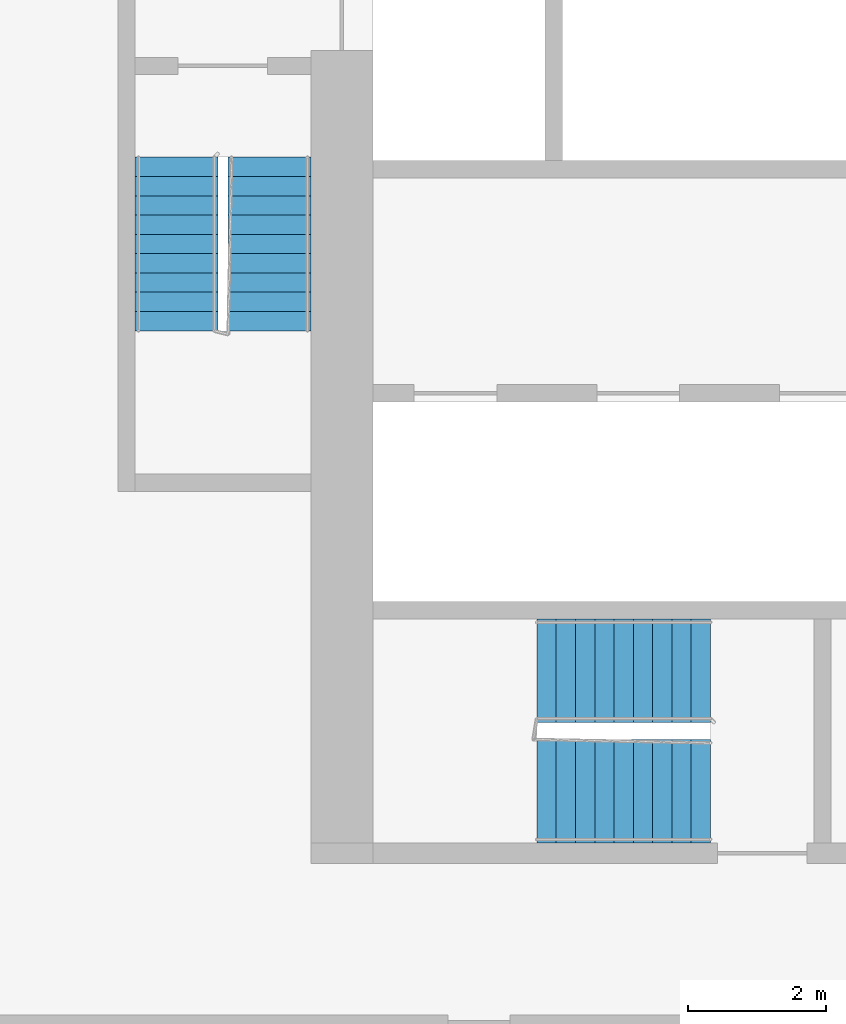
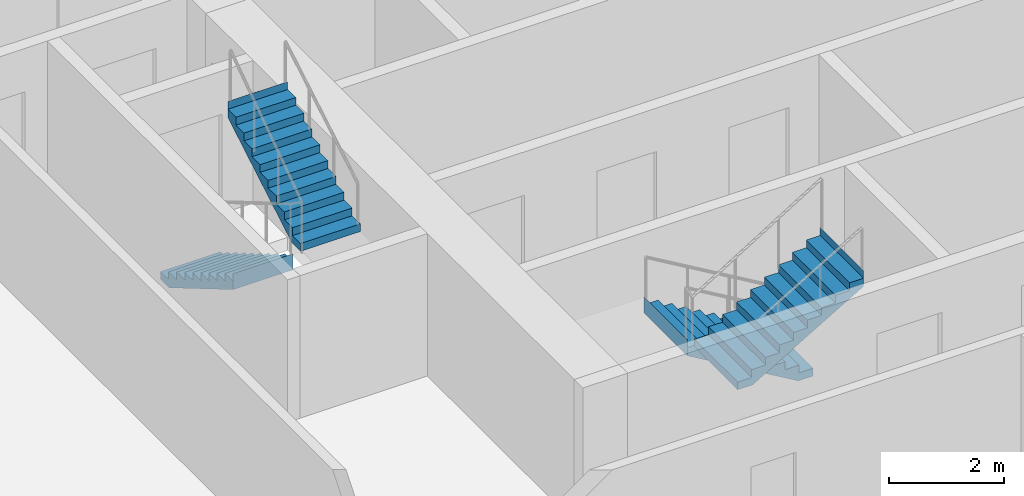
# One storey, part 9 of 12: 4 stair flights, 2 elements without a shape of their own.
"""IFC4 building model written with IfcOpenShell, lengths in metres."""

from ifc_helpers import new_model, si_unit, direction, frame, origin, place, context, subcontext, project, spatial, faceted_brep, material, type_object, element, aggregate, save


model = new_model("IFC4")

# Units and contexts
model_context = context("Model", 3, precision=1e-05, world=origin(), true_north=direction((0.0, 1.0)))
body_context = subcontext(model_context, "Body", "Model", "MODEL_VIEW")
ifc_project = project(units=[si_unit("LENGTHUNIT", "METRE"), si_unit("AREAUNIT", "SQUARE_METRE"), si_unit("VOLUMEUNIT", "CUBIC_METRE"), si_unit("PLANEANGLEUNIT", "RADIAN"), si_unit("MASSUNIT", "GRAM", prefix="KILO")], contexts=[model_context])

# Site, building, storey
site_placement = place(None, origin())
site = spatial("IfcSite", under=ifc_project, at=site_placement, CompositionType="ELEMENT")
building_placement = place(site_placement, origin())
building = spatial("IfcBuilding", under=site, at=building_placement, Name="Kajstack Hotel Tower", CompositionType="ELEMENT")
storey_placement = place(building_placement, frame((0.0, 0.0, 83.10009765625)))
storey = spatial("IfcBuildingStorey", under=building, at=storey_placement, Name="L16", CompositionType="ELEMENT", Elevation=83.10009765625)

# Stair, stair flights
ifc_material = material(Name="Concrete C40/50", Category="concrete")
stair_type_1 = type_object("IfcStairType", Name="Exit stair 1200", PredefinedType="HALF_TURN_STAIR", material=ifc_material)
stair_1_placement = place(storey_placement, origin())
stair_1 = element("IfcStair", 1, at=stair_1_placement, inside=storey, type_object=stair_type_1, Name="L16 stair W1", PredefinedType="HALF_TURN_STAIR")
stair_flight_type_1 = type_object("IfcStairFlightType", Name="Exit stair flight 1200", PredefinedType="STRAIGHT", material=ifc_material)
stair_flight_1_placement = place(storey_placement, frame((-33.449951171875, -5.25, 0.0), z_axis=(0.0, 0.0, 1.0), x_axis=(0.0, -1.0, 0.0)))
stair_flight_1 = element("IfcStairFlight", 2, at=stair_flight_1_placement, type_object=stair_flight_type_1, Name="W1 flight 1", NumberOfRisers=10, NumberOfTreads=9, PredefinedType="STRAIGHT", RiserHeight=0.165, TreadLength=0.28, context=body_context, shape_type="Brep", body=[
    faceted_brep([(0.295654296875, -0.60009765625, 0.0), (2.5205078125, -0.60009765625, 1.31103515625), (2.5205078125, -0.60009765625, 1.64990234375), (2.52001953125, -0.60009765625, 1.64990234375), (2.52001953125, -0.60009765625, 1.485107421875), (2.239990234375, -0.60009765625, 1.485107421875), (2.239990234375, -0.60009765625, 1.320068359375), (1.9599609375, -0.60009765625, 1.320068359375), (1.9599609375, -0.60009765625, 1.155029296875), (1.679931640625, -0.60009765625, 1.155029296875), (1.679931640625, -0.60009765625, 0.989990234375), (1.39990234375, -0.60009765625, 0.989990234375), (1.39990234375, -0.60009765625, 0.824951171875), (1.1201171875, -0.60009765625, 0.824951171875), (1.1201171875, -0.60009765625, 0.659912109375), (0.840087890625, -0.60009765625, 0.659912109375), (0.840087890625, -0.60009765625, 0.4951171875), (0.56005859375, -0.60009765625, 0.4951171875), (0.56005859375, -0.60009765625, 0.330078125), (0.280029296875, -0.60009765625, 0.330078125), (0.280029296875, -0.60009765625, 0.1650390625), (-0.00048828125, -0.60009765625, 0.1650390625), (-0.00048828125, -0.60009765625, 0.0), (-0.00048828125, 0.60009765625, 0.0), (-0.00048828125, 0.60009765625, 0.1650390625), (0.280029296875, 0.60009765625, 0.1650390625), (0.280029296875, 0.60009765625, 0.330078125), (0.56005859375, 0.60009765625, 0.330078125), (0.56005859375, 0.60009765625, 0.4951171875), (0.840087890625, 0.60009765625, 0.4951171875), (0.840087890625, 0.60009765625, 0.659912109375), (1.1201171875, 0.60009765625, 0.659912109375), (1.1201171875, 0.60009765625, 0.824951171875), (1.39990234375, 0.60009765625, 0.824951171875), (1.39990234375, 0.60009765625, 0.989990234375), (1.679931640625, 0.60009765625, 0.989990234375), (1.679931640625, 0.60009765625, 1.155029296875), (1.9599609375, 0.60009765625, 1.155029296875), (1.9599609375, 0.60009765625, 1.320068359375), (2.239990234375, 0.60009765625, 1.320068359375), (2.239990234375, 0.60009765625, 1.485107421875), (2.52001953125, 0.60009765625, 1.485107421875), (2.52001953125, 0.60009765625, 1.64990234375), (2.5205078125, 0.60009765625, 1.64990234375), (2.5205078125, 0.60009765625, 1.31103515625), (0.295654296875, 0.60009765625, 0.0), (-0.00048828125, -0.300048828125, 0.1650390625), (-0.00048828125, 0.0, 0.1650390625), (-0.00048828125, 0.300048828125, 0.1650390625), (-0.00048828125, 0.300048828125, 0.0), (-0.00048828125, 0.0, 0.0), (-0.00048828125, -0.300048828125, 0.0), (0.280029296875, -0.300048828125, 0.1650390625), (0.280029296875, 0.0, 0.1650390625), (0.280029296875, 0.300048828125, 0.1650390625), (0.280029296875, -0.300048828125, 0.330078125), (0.280029296875, 0.0, 0.330078125), (0.280029296875, 0.300048828125, 0.330078125), (0.56005859375, -0.300048828125, 0.330078125), (0.56005859375, 0.0, 0.330078125), (0.56005859375, 0.300048828125, 0.330078125), (0.56005859375, -0.300048828125, 0.4951171875), (0.56005859375, 0.0, 0.4951171875), (0.56005859375, 0.300048828125, 0.4951171875), (0.840087890625, -0.300048828125, 0.4951171875), (0.840087890625, 0.0, 0.4951171875), (0.840087890625, 0.300048828125, 0.4951171875), (0.840087890625, -0.300048828125, 0.659912109375), (0.840087890625, 0.0, 0.659912109375), (0.840087890625, 0.300048828125, 0.659912109375), (1.1201171875, -0.300048828125, 0.659912109375), (1.1201171875, 0.0, 0.659912109375), (1.1201171875, 0.300048828125, 0.659912109375), (1.1201171875, -0.300048828125, 0.824951171875), (1.1201171875, 0.0, 0.824951171875), (1.1201171875, 0.300048828125, 0.824951171875), (1.39990234375, -0.300048828125, 0.824951171875), (1.39990234375, 0.0, 0.824951171875), (1.39990234375, 0.300048828125, 0.824951171875), (1.39990234375, -0.300048828125, 0.989990234375), (1.39990234375, 0.0, 0.989990234375), (1.39990234375, 0.300048828125, 0.989990234375), (1.679931640625, -0.300048828125, 0.989990234375), (1.679931640625, 0.0, 0.989990234375), (1.679931640625, 0.300048828125, 0.989990234375), (1.679931640625, -0.300048828125, 1.155029296875), (1.679931640625, 0.0, 1.155029296875), (1.679931640625, 0.300048828125, 1.155029296875), (1.9599609375, -0.300048828125, 1.155029296875), (1.9599609375, 0.0, 1.155029296875), (1.9599609375, 0.300048828125, 1.155029296875), (1.9599609375, -0.300048828125, 1.320068359375), (1.9599609375, 0.0, 1.320068359375), (1.9599609375, 0.300048828125, 1.320068359375), (2.239990234375, -0.300048828125, 1.320068359375), (2.239990234375, 0.0, 1.320068359375), (2.239990234375, 0.300048828125, 1.320068359375), (2.239990234375, -0.300048828125, 1.485107421875), (2.239990234375, 0.0, 1.485107421875), (2.239990234375, 0.300048828125, 1.485107421875), (2.52001953125, -0.300048828125, 1.485107421875), (2.52001953125, 0.0, 1.485107421875), (2.52001953125, 0.300048828125, 1.485107421875), (2.52001953125, -0.300048828125, 1.64990234375), (2.52001953125, 0.0, 1.64990234375), (2.52001953125, 0.300048828125, 1.64990234375), (2.5205078125, -0.300048828125, 1.64990234375), (2.5205078125, 0.0, 1.64990234375), (2.5205078125, 0.300048828125, 1.64990234375), (2.5205078125, -0.300048828125, 1.31103515625), (2.5205078125, 0.0, 1.31103515625), (2.5205078125, 0.300048828125, 1.31103515625), (0.295654296875, -0.300048828125, 0.0), (0.295654296875, 0.0, 0.0), (0.295654296875, 0.300048828125, 0.0)], [[[0, 1, 2, 3, 4, 5, 6, 7, 8, 9, 10, 11, 12, 13, 14, 15, 16, 17, 18, 19, 20, 21, 22]], [[23, 24, 25, 26, 27, 28, 29, 30, 31, 32, 33, 34, 35, 36, 37, 38, 39, 40, 41, 42, 43, 44, 45]], [[21, 46, 47, 48, 24, 23, 49, 50, 51, 22]], [[20, 52, 53, 54, 25, 24, 48, 47, 46, 21]], [[19, 55, 56, 57, 26, 25, 54, 53, 52, 20]], [[18, 58, 59, 60, 27, 26, 57, 56, 55, 19]], [[17, 61, 62, 63, 28, 27, 60, 59, 58, 18]], [[16, 64, 65, 66, 29, 28, 63, 62, 61, 17]], [[15, 67, 68, 69, 30, 29, 66, 65, 64, 16]], [[14, 70, 71, 72, 31, 30, 69, 68, 67, 15]], [[13, 73, 74, 75, 32, 31, 72, 71, 70, 14]], [[12, 76, 77, 78, 33, 32, 75, 74, 73, 13]], [[11, 79, 80, 81, 34, 33, 78, 77, 76, 12]], [[10, 82, 83, 84, 35, 34, 81, 80, 79, 11]], [[9, 85, 86, 87, 36, 35, 84, 83, 82, 10]], [[8, 88, 89, 90, 37, 36, 87, 86, 85, 9]], [[7, 91, 92, 93, 38, 37, 90, 89, 88, 8]], [[6, 94, 95, 96, 39, 38, 93, 92, 91, 7]], [[5, 97, 98, 99, 40, 39, 96, 95, 94, 6]], [[4, 100, 101, 102, 41, 40, 99, 98, 97, 5]], [[3, 103, 104, 105, 42, 41, 102, 101, 100, 4]], [[2, 106, 107, 108, 43, 42, 105, 104, 103, 3]], [[1, 109, 110, 111, 44, 43, 108, 107, 106, 2]], [[0, 112, 113, 114, 45, 44, 111, 110, 109, 1]], [[22, 51, 50, 49, 23, 45, 114, 113, 112, 0]]]),
])
stair_flight_2_placement = place(storey_placement, frame((-32.10009765625, -7.77001953125, 1.64990234375), z_axis=(0.0, 0.0, 1.0), x_axis=(0.0, 1.0, 0.0)))
stair_flight_2 = element("IfcStairFlight", 3, at=stair_flight_2_placement, type_object=stair_flight_type_1, Name="W1 flight 2", NumberOfRisers=10, NumberOfTreads=9, PredefinedType="STRAIGHT", RiserHeight=0.165, TreadLength=0.28, context=body_context, shape_type="Brep", body=[
    faceted_brep([(0.295654296875, -0.60009765625, 0.0), (2.5205078125, -0.60009765625, 1.31103515625), (2.5205078125, -0.60009765625, 1.64990234375), (2.52001953125, -0.60009765625, 1.64990234375), (2.52001953125, -0.60009765625, 1.485107421875), (2.239990234375, -0.60009765625, 1.485107421875), (2.239990234375, -0.60009765625, 1.320068359375), (1.9599609375, -0.60009765625, 1.320068359375), (1.9599609375, -0.60009765625, 1.155029296875), (1.679931640625, -0.60009765625, 1.155029296875), (1.679931640625, -0.60009765625, 0.989990234375), (1.39990234375, -0.60009765625, 0.989990234375), (1.39990234375, -0.60009765625, 0.824951171875), (1.1201171875, -0.60009765625, 0.824951171875), (1.1201171875, -0.60009765625, 0.659912109375), (0.840087890625, -0.60009765625, 0.659912109375), (0.840087890625, -0.60009765625, 0.4951171875), (0.56005859375, -0.60009765625, 0.4951171875), (0.56005859375, -0.60009765625, 0.330078125), (0.280029296875, -0.60009765625, 0.330078125), (0.280029296875, -0.60009765625, 0.1650390625), (-0.00048828125, -0.60009765625, 0.1650390625), (-0.00048828125, -0.60009765625, 0.0), (-0.00048828125, 0.60009765625, 0.0), (-0.00048828125, 0.60009765625, 0.1650390625), (0.280029296875, 0.60009765625, 0.1650390625), (0.280029296875, 0.60009765625, 0.330078125), (0.56005859375, 0.60009765625, 0.330078125), (0.56005859375, 0.60009765625, 0.4951171875), (0.840087890625, 0.60009765625, 0.4951171875), (0.840087890625, 0.60009765625, 0.659912109375), (1.1201171875, 0.60009765625, 0.659912109375), (1.1201171875, 0.60009765625, 0.824951171875), (1.39990234375, 0.60009765625, 0.824951171875), (1.39990234375, 0.60009765625, 0.989990234375), (1.679931640625, 0.60009765625, 0.989990234375), (1.679931640625, 0.60009765625, 1.155029296875), (1.9599609375, 0.60009765625, 1.155029296875), (1.9599609375, 0.60009765625, 1.320068359375), (2.239990234375, 0.60009765625, 1.320068359375), (2.239990234375, 0.60009765625, 1.485107421875), (2.52001953125, 0.60009765625, 1.485107421875), (2.52001953125, 0.60009765625, 1.64990234375), (2.5205078125, 0.60009765625, 1.64990234375), (2.5205078125, 0.60009765625, 1.31103515625), (0.295654296875, 0.60009765625, 0.0), (-0.00048828125, -0.300048828125, 0.1650390625), (-0.00048828125, 0.0, 0.1650390625), (-0.00048828125, 0.300048828125, 0.1650390625), (-0.00048828125, 0.300048828125, 0.0), (-0.00048828125, 0.0, 0.0), (-0.00048828125, -0.300048828125, 0.0), (0.280029296875, -0.300048828125, 0.1650390625), (0.280029296875, 0.0, 0.1650390625), (0.280029296875, 0.300048828125, 0.1650390625), (0.280029296875, -0.300048828125, 0.330078125), (0.280029296875, 0.0, 0.330078125), (0.280029296875, 0.300048828125, 0.330078125), (0.56005859375, -0.300048828125, 0.330078125), (0.56005859375, 0.0, 0.330078125), (0.56005859375, 0.300048828125, 0.330078125), (0.56005859375, -0.300048828125, 0.4951171875), (0.56005859375, 0.0, 0.4951171875), (0.56005859375, 0.300048828125, 0.4951171875), (0.840087890625, -0.300048828125, 0.4951171875), (0.840087890625, 0.0, 0.4951171875), (0.840087890625, 0.300048828125, 0.4951171875), (0.840087890625, -0.300048828125, 0.659912109375), (0.840087890625, 0.0, 0.659912109375), (0.840087890625, 0.300048828125, 0.659912109375), (1.1201171875, -0.300048828125, 0.659912109375), (1.1201171875, 0.0, 0.659912109375), (1.1201171875, 0.300048828125, 0.659912109375), (1.1201171875, -0.300048828125, 0.824951171875), (1.1201171875, 0.0, 0.824951171875), (1.1201171875, 0.300048828125, 0.824951171875), (1.39990234375, -0.300048828125, 0.824951171875), (1.39990234375, 0.0, 0.824951171875), (1.39990234375, 0.300048828125, 0.824951171875), (1.39990234375, -0.300048828125, 0.989990234375), (1.39990234375, 0.0, 0.989990234375), (1.39990234375, 0.300048828125, 0.989990234375), (1.679931640625, -0.300048828125, 0.989990234375), (1.679931640625, 0.0, 0.989990234375), (1.679931640625, 0.300048828125, 0.989990234375), (1.679931640625, -0.300048828125, 1.155029296875), (1.679931640625, 0.0, 1.155029296875), (1.679931640625, 0.300048828125, 1.155029296875), (1.9599609375, -0.300048828125, 1.155029296875), (1.9599609375, 0.0, 1.155029296875), (1.9599609375, 0.300048828125, 1.155029296875), (1.9599609375, -0.300048828125, 1.320068359375), (1.9599609375, 0.0, 1.320068359375), (1.9599609375, 0.300048828125, 1.320068359375), (2.239990234375, -0.300048828125, 1.320068359375), (2.239990234375, 0.0, 1.320068359375), (2.239990234375, 0.300048828125, 1.320068359375), (2.239990234375, -0.300048828125, 1.485107421875), (2.239990234375, 0.0, 1.485107421875), (2.239990234375, 0.300048828125, 1.485107421875), (2.52001953125, -0.300048828125, 1.485107421875), (2.52001953125, 0.0, 1.485107421875), (2.52001953125, 0.300048828125, 1.485107421875), (2.52001953125, -0.300048828125, 1.64990234375), (2.52001953125, 0.0, 1.64990234375), (2.52001953125, 0.300048828125, 1.64990234375), (2.5205078125, -0.300048828125, 1.64990234375), (2.5205078125, 0.0, 1.64990234375), (2.5205078125, 0.300048828125, 1.64990234375), (2.5205078125, -0.300048828125, 1.31103515625), (2.5205078125, 0.0, 1.31103515625), (2.5205078125, 0.300048828125, 1.31103515625), (0.295654296875, -0.300048828125, 0.0), (0.295654296875, 0.0, 0.0), (0.295654296875, 0.300048828125, 0.0)], [[[0, 1, 2, 3, 4, 5, 6, 7, 8, 9, 10, 11, 12, 13, 14, 15, 16, 17, 18, 19, 20, 21, 22]], [[23, 24, 25, 26, 27, 28, 29, 30, 31, 32, 33, 34, 35, 36, 37, 38, 39, 40, 41, 42, 43, 44, 45]], [[21, 46, 47, 48, 24, 23, 49, 50, 51, 22]], [[20, 52, 53, 54, 25, 24, 48, 47, 46, 21]], [[19, 55, 56, 57, 26, 25, 54, 53, 52, 20]], [[18, 58, 59, 60, 27, 26, 57, 56, 55, 19]], [[17, 61, 62, 63, 28, 27, 60, 59, 58, 18]], [[16, 64, 65, 66, 29, 28, 63, 62, 61, 17]], [[15, 67, 68, 69, 30, 29, 66, 65, 64, 16]], [[14, 70, 71, 72, 31, 30, 69, 68, 67, 15]], [[13, 73, 74, 75, 32, 31, 72, 71, 70, 14]], [[12, 76, 77, 78, 33, 32, 75, 74, 73, 13]], [[11, 79, 80, 81, 34, 33, 78, 77, 76, 12]], [[10, 82, 83, 84, 35, 34, 81, 80, 79, 11]], [[9, 85, 86, 87, 36, 35, 84, 83, 82, 10]], [[8, 88, 89, 90, 37, 36, 87, 86, 85, 9]], [[7, 91, 92, 93, 38, 37, 90, 89, 88, 8]], [[6, 94, 95, 96, 39, 38, 93, 92, 91, 7]], [[5, 97, 98, 99, 40, 39, 96, 95, 94, 6]], [[4, 100, 101, 102, 41, 40, 99, 98, 97, 5]], [[3, 103, 104, 105, 42, 41, 102, 101, 100, 4]], [[2, 106, 107, 108, 43, 42, 105, 104, 103, 3]], [[1, 109, 110, 111, 44, 43, 108, 107, 106, 2]], [[0, 112, 113, 114, 45, 44, 111, 110, 109, 1]], [[22, 51, 50, 49, 23, 45, 114, 113, 112, 0]]]),
])
aggregate(stair_1, [stair_flight_1, stair_flight_2])

stair_type_2 = type_object("IfcStairType", Name="Exit stair 1500", PredefinedType="HALF_TURN_STAIR", material=ifc_material)
stair_2_placement = place(storey_placement, origin())
stair_2 = element("IfcStair", 4, at=stair_2_placement, inside=storey, type_object=stair_type_2, Name="L16 stair W3", PredefinedType="HALF_TURN_STAIR")
stair_flight_type_2 = type_object("IfcStairFlightType", Name="Exit stair flight 1500", PredefinedType="STRAIGHT", material=ifc_material)
stair_flight_3_placement = place(storey_placement, frame((-25.699951171875, -12.699951171875, 0.0), z_axis=(0.0, 0.0, 1.0), x_axis=(-1.0, 0.0, 0.0)))
stair_flight_3 = element("IfcStairFlight", 5, at=stair_flight_3_placement, type_object=stair_flight_type_2, Name="W3 flight 1", NumberOfRisers=10, NumberOfTreads=9, PredefinedType="STRAIGHT", RiserHeight=0.165, TreadLength=0.28, context=body_context, shape_type="Brep", body=[
    faceted_brep([(0.295654296875, -0.75, 0.0), (2.5205078125, -0.75, 1.31103515625), (2.5205078125, -0.75, 1.64990234375), (2.52001953125, -0.75, 1.64990234375), (2.52001953125, -0.75, 1.485107421875), (2.239990234375, -0.75, 1.485107421875), (2.239990234375, -0.75, 1.320068359375), (1.9599609375, -0.75, 1.320068359375), (1.9599609375, -0.75, 1.155029296875), (1.679931640625, -0.75, 1.155029296875), (1.679931640625, -0.75, 0.989990234375), (1.39990234375, -0.75, 0.989990234375), (1.39990234375, -0.75, 0.824951171875), (1.1201171875, -0.75, 0.824951171875), (1.1201171875, -0.75, 0.659912109375), (0.840087890625, -0.75, 0.659912109375), (0.840087890625, -0.75, 0.4951171875), (0.56005859375, -0.75, 0.4951171875), (0.56005859375, -0.75, 0.330078125), (0.280029296875, -0.75, 0.330078125), (0.280029296875, -0.75, 0.1650390625), (-0.00048828125, -0.75, 0.1650390625), (-0.00048828125, -0.75, 0.0), (-0.00048828125, 0.75, 0.0), (-0.00048828125, 0.75, 0.1650390625), (0.280029296875, 0.75, 0.1650390625), (0.280029296875, 0.75, 0.330078125), (0.56005859375, 0.75, 0.330078125), (0.56005859375, 0.75, 0.4951171875), (0.840087890625, 0.75, 0.4951171875), (0.840087890625, 0.75, 0.659912109375), (1.1201171875, 0.75, 0.659912109375), (1.1201171875, 0.75, 0.824951171875), (1.39990234375, 0.75, 0.824951171875), (1.39990234375, 0.75, 0.989990234375), (1.679931640625, 0.75, 0.989990234375), (1.679931640625, 0.75, 1.155029296875), (1.9599609375, 0.75, 1.155029296875), (1.9599609375, 0.75, 1.320068359375), (2.239990234375, 0.75, 1.320068359375), (2.239990234375, 0.75, 1.485107421875), (2.52001953125, 0.75, 1.485107421875), (2.52001953125, 0.75, 1.64990234375), (2.5205078125, 0.75, 1.64990234375), (2.5205078125, 0.75, 1.31103515625), (0.295654296875, 0.75, 0.0), (-0.00048828125, -0.375, 0.1650390625), (-0.00048828125, 0.0, 0.1650390625), (-0.00048828125, 0.375, 0.1650390625), (-0.00048828125, 0.375, 0.0), (-0.00048828125, 0.0, 0.0), (-0.00048828125, -0.375, 0.0), (0.280029296875, -0.375, 0.1650390625), (0.280029296875, 0.0, 0.1650390625), (0.280029296875, 0.375, 0.1650390625), (0.280029296875, -0.375, 0.330078125), (0.280029296875, 0.0, 0.330078125), (0.280029296875, 0.375, 0.330078125), (0.56005859375, -0.375, 0.330078125), (0.56005859375, 0.0, 0.330078125), (0.56005859375, 0.375, 0.330078125), (0.56005859375, -0.375, 0.4951171875), (0.56005859375, 0.0, 0.4951171875), (0.56005859375, 0.375, 0.4951171875), (0.840087890625, -0.375, 0.4951171875), (0.840087890625, 0.0, 0.4951171875), (0.840087890625, 0.375, 0.4951171875), (0.840087890625, -0.375, 0.659912109375), (0.840087890625, 0.0, 0.659912109375), (0.840087890625, 0.375, 0.659912109375), (1.1201171875, -0.375, 0.659912109375), (1.1201171875, 0.0, 0.659912109375), (1.1201171875, 0.375, 0.659912109375), (1.1201171875, -0.375, 0.824951171875), (1.1201171875, 0.0, 0.824951171875), (1.1201171875, 0.375, 0.824951171875), (1.39990234375, -0.375, 0.824951171875), (1.39990234375, 0.0, 0.824951171875), (1.39990234375, 0.375, 0.824951171875), (1.39990234375, -0.375, 0.989990234375), (1.39990234375, 0.0, 0.989990234375), (1.39990234375, 0.375, 0.989990234375), (1.679931640625, -0.375, 0.989990234375), (1.679931640625, 0.0, 0.989990234375), (1.679931640625, 0.375, 0.989990234375), (1.679931640625, -0.375, 1.155029296875), (1.679931640625, 0.0, 1.155029296875), (1.679931640625, 0.375, 1.155029296875), (1.9599609375, -0.375, 1.155029296875), (1.9599609375, 0.0, 1.155029296875), (1.9599609375, 0.375, 1.155029296875), (1.9599609375, -0.375, 1.320068359375), (1.9599609375, 0.0, 1.320068359375), (1.9599609375, 0.375, 1.320068359375), (2.239990234375, -0.375, 1.320068359375), (2.239990234375, 0.0, 1.320068359375), (2.239990234375, 0.375, 1.320068359375), (2.239990234375, -0.375, 1.485107421875), (2.239990234375, 0.0, 1.485107421875), (2.239990234375, 0.375, 1.485107421875), (2.52001953125, -0.375, 1.485107421875), (2.52001953125, 0.0, 1.485107421875), (2.52001953125, 0.375, 1.485107421875), (2.52001953125, -0.375, 1.64990234375), (2.52001953125, 0.0, 1.64990234375), (2.52001953125, 0.375, 1.64990234375), (2.5205078125, -0.375, 1.64990234375), (2.5205078125, 0.0, 1.64990234375), (2.5205078125, 0.375, 1.64990234375), (2.5205078125, -0.375, 1.31103515625), (2.5205078125, 0.0, 1.31103515625), (2.5205078125, 0.375, 1.31103515625), (0.295654296875, -0.375, 0.0), (0.295654296875, 0.0, 0.0), (0.295654296875, 0.375, 0.0)], [[[0, 1, 2, 3, 4, 5, 6, 7, 8, 9, 10, 11, 12, 13, 14, 15, 16, 17, 18, 19, 20, 21, 22]], [[23, 24, 25, 26, 27, 28, 29, 30, 31, 32, 33, 34, 35, 36, 37, 38, 39, 40, 41, 42, 43, 44, 45]], [[21, 46, 47, 48, 24, 23, 49, 50, 51, 22]], [[20, 52, 53, 54, 25, 24, 48, 47, 46, 21]], [[19, 55, 56, 57, 26, 25, 54, 53, 52, 20]], [[18, 58, 59, 60, 27, 26, 57, 56, 55, 19]], [[17, 61, 62, 63, 28, 27, 60, 59, 58, 18]], [[16, 64, 65, 66, 29, 28, 63, 62, 61, 17]], [[15, 67, 68, 69, 30, 29, 66, 65, 64, 16]], [[14, 70, 71, 72, 31, 30, 69, 68, 67, 15]], [[13, 73, 74, 75, 32, 31, 72, 71, 70, 14]], [[12, 76, 77, 78, 33, 32, 75, 74, 73, 13]], [[11, 79, 80, 81, 34, 33, 78, 77, 76, 12]], [[10, 82, 83, 84, 35, 34, 81, 80, 79, 11]], [[9, 85, 86, 87, 36, 35, 84, 83, 82, 10]], [[8, 88, 89, 90, 37, 36, 87, 86, 85, 9]], [[7, 91, 92, 93, 38, 37, 90, 89, 88, 8]], [[6, 94, 95, 96, 39, 38, 93, 92, 91, 7]], [[5, 97, 98, 99, 40, 39, 96, 95, 94, 6]], [[4, 100, 101, 102, 41, 40, 99, 98, 97, 5]], [[3, 103, 104, 105, 42, 41, 102, 101, 100, 4]], [[2, 106, 107, 108, 43, 42, 105, 104, 103, 3]], [[1, 109, 110, 111, 44, 43, 108, 107, 106, 2]], [[0, 112, 113, 114, 45, 44, 111, 110, 109, 1]], [[22, 51, 50, 49, 23, 45, 114, 113, 112, 0]]]),
])
stair_flight_4_placement = place(storey_placement, frame((-28.219970703125, -14.449951171875, 1.64990234375), z_axis=(0.0, 0.0, 1.0), x_axis=(1.0, 0.0, 0.0)))
stair_flight_4 = element("IfcStairFlight", 6, at=stair_flight_4_placement, type_object=stair_flight_type_2, Name="W3 flight 2", NumberOfRisers=10, NumberOfTreads=9, PredefinedType="STRAIGHT", RiserHeight=0.165, TreadLength=0.28, context=body_context, shape_type="Brep", body=[
    faceted_brep([(0.295654296875, -0.75, 0.0), (2.5205078125, -0.75, 1.31103515625), (2.5205078125, -0.75, 1.64990234375), (2.52001953125, -0.75, 1.64990234375), (2.52001953125, -0.75, 1.485107421875), (2.239990234375, -0.75, 1.485107421875), (2.239990234375, -0.75, 1.320068359375), (1.9599609375, -0.75, 1.320068359375), (1.9599609375, -0.75, 1.155029296875), (1.679931640625, -0.75, 1.155029296875), (1.679931640625, -0.75, 0.989990234375), (1.39990234375, -0.75, 0.989990234375), (1.39990234375, -0.75, 0.824951171875), (1.1201171875, -0.75, 0.824951171875), (1.1201171875, -0.75, 0.659912109375), (0.840087890625, -0.75, 0.659912109375), (0.840087890625, -0.75, 0.4951171875), (0.56005859375, -0.75, 0.4951171875), (0.56005859375, -0.75, 0.330078125), (0.280029296875, -0.75, 0.330078125), (0.280029296875, -0.75, 0.1650390625), (-0.00048828125, -0.75, 0.1650390625), (-0.00048828125, -0.75, 0.0), (-0.00048828125, 0.75, 0.0), (-0.00048828125, 0.75, 0.1650390625), (0.280029296875, 0.75, 0.1650390625), (0.280029296875, 0.75, 0.330078125), (0.56005859375, 0.75, 0.330078125), (0.56005859375, 0.75, 0.4951171875), (0.840087890625, 0.75, 0.4951171875), (0.840087890625, 0.75, 0.659912109375), (1.1201171875, 0.75, 0.659912109375), (1.1201171875, 0.75, 0.824951171875), (1.39990234375, 0.75, 0.824951171875), (1.39990234375, 0.75, 0.989990234375), (1.679931640625, 0.75, 0.989990234375), (1.679931640625, 0.75, 1.155029296875), (1.9599609375, 0.75, 1.155029296875), (1.9599609375, 0.75, 1.320068359375), (2.239990234375, 0.75, 1.320068359375), (2.239990234375, 0.75, 1.485107421875), (2.52001953125, 0.75, 1.485107421875), (2.52001953125, 0.75, 1.64990234375), (2.5205078125, 0.75, 1.64990234375), (2.5205078125, 0.75, 1.31103515625), (0.295654296875, 0.75, 0.0), (-0.00048828125, -0.375, 0.1650390625), (-0.00048828125, 0.0, 0.1650390625), (-0.00048828125, 0.375, 0.1650390625), (-0.00048828125, 0.375, 0.0), (-0.00048828125, 0.0, 0.0), (-0.00048828125, -0.375, 0.0), (0.280029296875, -0.375, 0.1650390625), (0.280029296875, 0.0, 0.1650390625), (0.280029296875, 0.375, 0.1650390625), (0.280029296875, -0.375, 0.330078125), (0.280029296875, 0.0, 0.330078125), (0.280029296875, 0.375, 0.330078125), (0.56005859375, -0.375, 0.330078125), (0.56005859375, 0.0, 0.330078125), (0.56005859375, 0.375, 0.330078125), (0.56005859375, -0.375, 0.4951171875), (0.56005859375, 0.0, 0.4951171875), (0.56005859375, 0.375, 0.4951171875), (0.840087890625, -0.375, 0.4951171875), (0.840087890625, 0.0, 0.4951171875), (0.840087890625, 0.375, 0.4951171875), (0.840087890625, -0.375, 0.659912109375), (0.840087890625, 0.0, 0.659912109375), (0.840087890625, 0.375, 0.659912109375), (1.1201171875, -0.375, 0.659912109375), (1.1201171875, 0.0, 0.659912109375), (1.1201171875, 0.375, 0.659912109375), (1.1201171875, -0.375, 0.824951171875), (1.1201171875, 0.0, 0.824951171875), (1.1201171875, 0.375, 0.824951171875), (1.39990234375, -0.375, 0.824951171875), (1.39990234375, 0.0, 0.824951171875), (1.39990234375, 0.375, 0.824951171875), (1.39990234375, -0.375, 0.989990234375), (1.39990234375, 0.0, 0.989990234375), (1.39990234375, 0.375, 0.989990234375), (1.679931640625, -0.375, 0.989990234375), (1.679931640625, 0.0, 0.989990234375), (1.679931640625, 0.375, 0.989990234375), (1.679931640625, -0.375, 1.155029296875), (1.679931640625, 0.0, 1.155029296875), (1.679931640625, 0.375, 1.155029296875), (1.9599609375, -0.375, 1.155029296875), (1.9599609375, 0.0, 1.155029296875), (1.9599609375, 0.375, 1.155029296875), (1.9599609375, -0.375, 1.320068359375), (1.9599609375, 0.0, 1.320068359375), (1.9599609375, 0.375, 1.320068359375), (2.239990234375, -0.375, 1.320068359375), (2.239990234375, 0.0, 1.320068359375), (2.239990234375, 0.375, 1.320068359375), (2.239990234375, -0.375, 1.485107421875), (2.239990234375, 0.0, 1.485107421875), (2.239990234375, 0.375, 1.485107421875), (2.52001953125, -0.375, 1.485107421875), (2.52001953125, 0.0, 1.485107421875), (2.52001953125, 0.375, 1.485107421875), (2.52001953125, -0.375, 1.64990234375), (2.52001953125, 0.0, 1.64990234375), (2.52001953125, 0.375, 1.64990234375), (2.5205078125, -0.375, 1.64990234375), (2.5205078125, 0.0, 1.64990234375), (2.5205078125, 0.375, 1.64990234375), (2.5205078125, -0.375, 1.31103515625), (2.5205078125, 0.0, 1.31103515625), (2.5205078125, 0.375, 1.31103515625), (0.295654296875, -0.375, 0.0), (0.295654296875, 0.0, 0.0), (0.295654296875, 0.375, 0.0)], [[[0, 1, 2, 3, 4, 5, 6, 7, 8, 9, 10, 11, 12, 13, 14, 15, 16, 17, 18, 19, 20, 21, 22]], [[23, 24, 25, 26, 27, 28, 29, 30, 31, 32, 33, 34, 35, 36, 37, 38, 39, 40, 41, 42, 43, 44, 45]], [[21, 46, 47, 48, 24, 23, 49, 50, 51, 22]], [[20, 52, 53, 54, 25, 24, 48, 47, 46, 21]], [[19, 55, 56, 57, 26, 25, 54, 53, 52, 20]], [[18, 58, 59, 60, 27, 26, 57, 56, 55, 19]], [[17, 61, 62, 63, 28, 27, 60, 59, 58, 18]], [[16, 64, 65, 66, 29, 28, 63, 62, 61, 17]], [[15, 67, 68, 69, 30, 29, 66, 65, 64, 16]], [[14, 70, 71, 72, 31, 30, 69, 68, 67, 15]], [[13, 73, 74, 75, 32, 31, 72, 71, 70, 14]], [[12, 76, 77, 78, 33, 32, 75, 74, 73, 13]], [[11, 79, 80, 81, 34, 33, 78, 77, 76, 12]], [[10, 82, 83, 84, 35, 34, 81, 80, 79, 11]], [[9, 85, 86, 87, 36, 35, 84, 83, 82, 10]], [[8, 88, 89, 90, 37, 36, 87, 86, 85, 9]], [[7, 91, 92, 93, 38, 37, 90, 89, 88, 8]], [[6, 94, 95, 96, 39, 38, 93, 92, 91, 7]], [[5, 97, 98, 99, 40, 39, 96, 95, 94, 6]], [[4, 100, 101, 102, 41, 40, 99, 98, 97, 5]], [[3, 103, 104, 105, 42, 41, 102, 101, 100, 4]], [[2, 106, 107, 108, 43, 42, 105, 104, 103, 3]], [[1, 109, 110, 111, 44, 43, 108, 107, 106, 2]], [[0, 112, 113, 114, 45, 44, 111, 110, 109, 1]], [[22, 51, 50, 49, 23, 45, 114, 113, 112, 0]]]),
])
aggregate(stair_2, [stair_flight_3, stair_flight_4])

save(model, "model.ifc")
